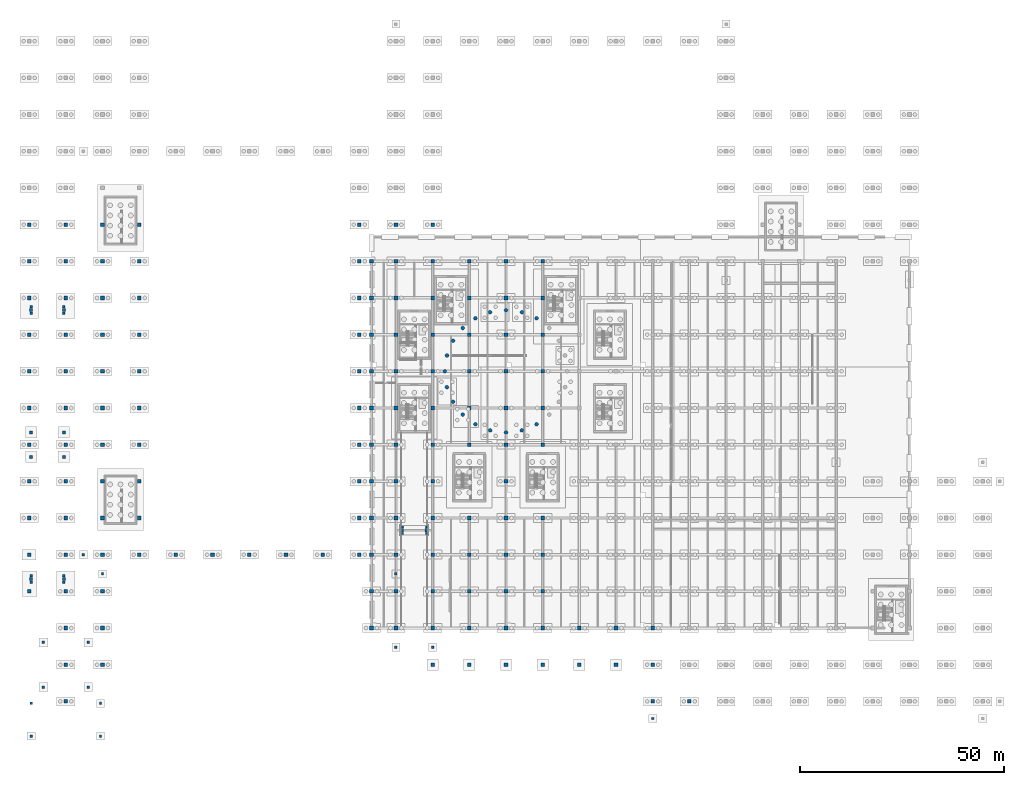
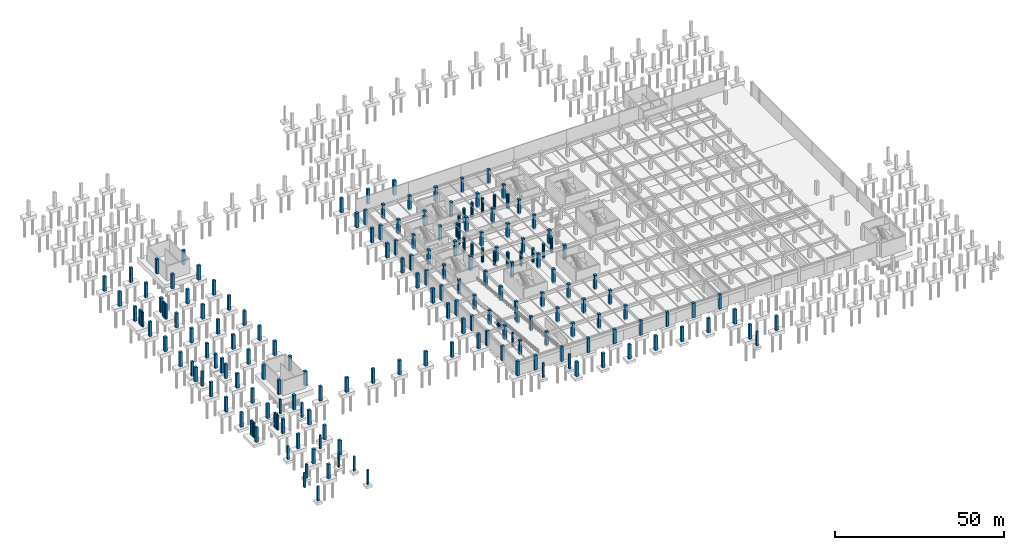
# One storey, part 10 of 27: 194 columns.
"""IFC4 building model written with IfcOpenShell, lengths in metres."""

import ifcopenshell
import ifcopenshell.guid

model = None  # the IFC model being written
_history = None  # IfcOwnerHistory: only IFC2X3 demands one
_inside = {}  # id of a spatial element -> (the spatial element, [elements in it])
_under = {}  # id of a project, library or spatial element -> (it, [spatial elements below it])
_declared = {}  # id of a project -> (the project, [libraries it declares])
_typed = {}  # id of a type object -> (the type object, [elements of that type])
_made_of = {}  # id of a material, layer set ... -> (it, [elements and type objects made of it])


def new_model(schema):
    """Start an empty IFC model of exactly this schema.

    Asked for "IFC4X3", IfcOpenShell would pick the latest addendum, in which some entities
    have other attributes; the version numbers below select the first issue.
    IFC2X3 requires an IfcOwnerHistory on every rooted entity: one is made here for all.
    """
    global model, _history
    if schema == "IFC4X3":
        model = ifcopenshell.file(schema_version=(4, 3, 0, 0))
    else:
        model = ifcopenshell.file(schema=schema)
    _inside.clear()
    _under.clear()
    _declared.clear()
    _typed.clear()
    _made_of.clear()
    _history = None
    if model.schema == "IFC2X3":
        org = make("IfcOrganization", Name="unknown")
        user = make(
            "IfcPersonAndOrganization",
            ThePerson=make("IfcPerson", FamilyName="unknown"),
            TheOrganization=org,
        )
        app = make(
            "IfcApplication",
            ApplicationDeveloper=org,
            Version="unknown",
            ApplicationFullName="unknown",
            ApplicationIdentifier="unknown",
        )
        _history = make(
            "IfcOwnerHistory",
            OwningUser=user,
            OwningApplication=app,
            ChangeAction="ADDED",
            CreationDate=0,
        )
    return model


def make(cls, **values):
    """One entity of the class cls with the attributes given. An attribute that is None is left unset."""
    return model.create_entity(
        cls, **{name: value for name, value in values.items() if value is not None}
    )


def rooted(cls, **values):
    """An entity with a GlobalId (a new one), such as an element, a storey or a relation."""
    return make(cls, GlobalId=ifcopenshell.guid.new(), OwnerHistory=_history, **values)


def si_unit(unit_type, name, prefix=None):
    """IfcSIUnit, for example si_unit("LENGTHUNIT", "METRE", prefix="MILLI")."""
    return make("IfcSIUnit", UnitType=unit_type, Prefix=prefix, Name=name)


def assignment(units):
    """IfcUnitAssignment: the units of a project."""
    return None if units is None else make("IfcUnitAssignment", Units=units)


def point(xyz):
    """IfcCartesianPoint."""
    return None if xyz is None else make("IfcCartesianPoint", Coordinates=xyz)


def direction(xyz):
    """IfcDirection."""
    return None if xyz is None else make("IfcDirection", DirectionRatios=xyz)


def frame(location, z_axis=None, x_axis=None):
    """IfcAxis2Placement3D, a coordinate frame: its origin and axes. An axis left out is left unset."""
    return make(
        "IfcAxis2Placement3D",
        Location=point(location),
        Axis=direction(z_axis),
        RefDirection=direction(x_axis),
    )


def frame_2d(location, x_axis=None):
    """IfcAxis2Placement2D, a coordinate frame in the plane: its origin and x axis."""
    return make(
        "IfcAxis2Placement2D", Location=point(location), RefDirection=direction(x_axis)
    )


def origin():
    """The frame at (0, 0, 0) with its axes left unset."""
    return frame((0.0, 0.0, 0.0))


def origin_2d():
    """The frame at (0, 0) in the plane with its x axis left unset."""
    return frame_2d((0.0, 0.0))


def place(relative_to, where):
    """IfcLocalPlacement: puts the frame where relative to a parent placement (None: the world)."""
    return make(
        "IfcLocalPlacement", PlacementRelTo=relative_to, RelativePlacement=where
    )


def context(
    kind, dimensions, precision=None, world=None, true_north=None, identifier=None
):
    """IfcGeometricRepresentationContext, for example the 3D "Model" context."""
    return make(
        "IfcGeometricRepresentationContext",
        ContextIdentifier=identifier,
        ContextType=kind,
        CoordinateSpaceDimension=dimensions,
        Precision=precision,
        WorldCoordinateSystem=world,
        TrueNorth=true_north,
    )


def subcontext(parent, identifier, kind, view, scale=None):
    """IfcGeometricRepresentationSubContext, for example "Body" below "Model"."""
    return make(
        "IfcGeometricRepresentationSubContext",
        ContextIdentifier=identifier,
        ContextType=kind,
        ParentContext=parent,
        TargetScale=scale,
        TargetView=view,
    )


def project(units=None, contexts=None):
    """IfcProject with its units and contexts."""
    return rooted(
        "IfcProject",
        Name="project",
        RepresentationContexts=contexts,
        UnitsInContext=assignment(units),
    )


def spatial(cls, under=None, at=None, **own):
    """A site, building, storey or space (cls), placed at a placement, below another one or the project."""
    s = rooted(cls, ObjectPlacement=at, **own)
    if under is not None:
        _under.setdefault(under.id(), (under, []))[1].append(s)
    return s


def profile(cls, at=None, kind="AREA", **sizes):
    """A parametric profile (cls). Its sizes go by their IFC names, for example OverallWidth=200.0."""
    return make(cls, ProfileType=kind, Position=at, **sizes)


def rectangle(**sizes):
    """IfcRectangleProfileDef."""
    return profile("IfcRectangleProfileDef", **sizes)


def circle(**sizes):
    """IfcCircleProfileDef."""
    return profile("IfcCircleProfileDef", **sizes)


def extrude(swept, where, along, depth):
    """IfcExtrudedAreaSolid: the profile swept, set in the frame where, extruded along a direction by depth."""
    return make(
        "IfcExtrudedAreaSolid",
        SweptArea=swept,
        Position=where,
        ExtrudedDirection=direction(along),
        Depth=depth,
    )


def shape(context_of_items, identifier, shape_type, items):
    """IfcShapeRepresentation: the items that make up one representation, for example the "Body"."""
    return make(
        "IfcShapeRepresentation",
        ContextOfItems=context_of_items,
        RepresentationIdentifier=identifier,
        RepresentationType=shape_type,
        Items=items,
    )


def material(Name=None, Category=None):
    """IfcMaterial."""
    return make("IfcMaterial", Name=Name, Category=Category)


def material_profile(
    of_material, cross_section, Name=None, Category=None, Priority=None
):
    """IfcMaterialProfile: a cross section and its material."""
    return make(
        "IfcMaterialProfile",
        Name=Name,
        Material=of_material,
        Profile=cross_section,
        Priority=Priority,
        Category=Category,
    )


def profile_set(profiles, Name=None, composite=None):
    """IfcMaterialProfileSet."""
    return make(
        "IfcMaterialProfileSet",
        Name=Name,
        MaterialProfiles=profiles,
        CompositeProfile=composite,
    )


def made_of(thing, what):
    """Note that an element or type object is made of a material, layer set ...; save() writes the relation."""
    if what is not None:
        _made_of.setdefault(what.id(), (what, []))[1].append(thing)
    return thing


def type_object(cls, material=None, **own):
    """A type object (cls), such as IfcWallType, which elements share."""
    return made_of(rooted(cls, **own), material)


def element(
    cls,
    number,
    at=None,
    inside=None,
    cuts=None,
    type_object=None,
    material=None,
    context=None,
    identifier="Body",
    shape_type=None,
    held_by="IfcProductDefinitionShape",
    body=None,
    shapes=None,
    **own,
):
    """One element of the class cls, such as IfcWall. Its Tag is "e" and its number.

    at: its placement. inside: the storey or other place that contains it. cuts: it is an
    opening in that element (IfcRelVoidsElement). A single representation is given by context,
    identifier, shape_type and body (its items); several are given by shapes. held_by: the class
    of the entity that holds the representations. save() writes the other relations.
    """
    e = rooted(cls, Tag="e%d" % number, ObjectPlacement=at, **own)
    if body is not None:
        shapes = [shape(context, identifier, shape_type, body)]
    if shapes is not None:
        e.Representation = make(held_by, Representations=shapes)
    if inside is not None:
        _inside.setdefault(inside.id(), (inside, []))[1].append(e)
    if cuts is not None:
        rooted(
            "IfcRelVoidsElement", RelatingBuildingElement=cuts, RelatedOpeningElement=e
        )
    if type_object is not None:
        _typed.setdefault(type_object.id(), (type_object, []))[1].append(e)
    return made_of(e, material)


def aggregate(whole, parts):
    """IfcRelAggregates: a whole, such as a stair, and the parts it consists of."""
    return rooted("IfcRelAggregates", RelatingObject=whole, RelatedObjects=parts)


def save(model, path):
    """Write the relations noted so far, then the file.

    IfcRelAggregates (storeys below a building ...), IfcRelContainedInSpatialStructure (elements
    in a storey), IfcRelDefinesByType, IfcRelAssociatesMaterial and IfcRelDeclares: one each for
    every whole, place, type object, material and project.
    """
    for whole, parts in _under.values():
        aggregate(whole, parts)
    for where, things in _inside.values():
        rooted(
            "IfcRelContainedInSpatialStructure",
            RelatedElements=things,
            RelatingStructure=where,
        )
    for kind, things in _typed.values():
        rooted("IfcRelDefinesByType", RelatedObjects=things, RelatingType=kind)
    for what, things in _made_of.values():
        rooted("IfcRelAssociatesMaterial", RelatedObjects=things, RelatingMaterial=what)
    for by, libraries in _declared.values():
        rooted("IfcRelDeclares", RelatingContext=by, RelatedDefinitions=libraries)
    model.write(path)


model = new_model("IFC4")

# Units and contexts
model_context = context("Model", 3, precision=1e-05, world=origin(), true_north=direction((0.0, 1.0)))
body_context = subcontext(model_context, "Body", "Model", "MODEL_VIEW")
ifc_project = project(units=[si_unit("LENGTHUNIT", "METRE"), si_unit("AREAUNIT", "SQUARE_METRE"), si_unit("VOLUMEUNIT", "CUBIC_METRE"), si_unit("PLANEANGLEUNIT", "RADIAN"), si_unit("MASSUNIT", "GRAM", prefix="KILO")], contexts=[model_context])

# Site, building, storey
site_placement = place(None, origin())
site = spatial("IfcSite", under=ifc_project, at=site_placement, CompositionType="ELEMENT")
building_placement = place(site_placement, origin())
building = spatial("IfcBuilding", under=site, at=building_placement, Name="Dornveld Trade and Exhibition Forum", CompositionType="ELEMENT")
storey_placement = place(building_placement, frame((0.0, 0.0, -4.800048828125)))
storey = spatial("IfcBuildingStorey", under=building, at=storey_placement, Name="B1", CompositionType="ELEMENT", Elevation=-4.800048828125)

# Columns
ifc_material_1 = material(Name="Precast concrete C50/60", Category="concrete")
ifc_material_profile_1 = material_profile(ifc_material_1, circle(Radius=0.449951171875, at=origin_2d()), Name="PC-COL D900")
ifc_profile_set_1 = profile_set([ifc_material_profile_1], Name="Precast concrete C50/60")
column_type_1 = type_object("IfcColumnType", Name="COL-DISC-D900", PredefinedType="COLUMN", material=ifc_profile_set_1)
for number, where, z_axis, x_axis, name in (
    (1, (102.0, 81.0, -0.449951171875), (0.0, 0.0, 1.0), (1.0, 0.0, 0.0), "B1 column (102.0, 81.0)"),
    (2, (102.510986328125, 77.117919921875, -0.449951171875), (0.0, 0.0, 1.0), (1.0, 0.0, 0.0), "B1 column (102.5, 77.1)"),
    (3, (102.510986328125, 84.882080078125, -0.449951171875), (0.0, 0.0, 1.0), (1.0, 0.0, 0.0), "B1 column (102.5, 84.9)"),
    (4, (104.010009765625, 73.5, -0.449951171875), (0.0, 0.0, 1.0), (1.0, 0.0, 0.0), "B1 column (104.0, 73.5)"),
    (5, (104.010009765625, 88.5, -0.449951171875), (0.0, 0.0, 1.0), (1.0, 0.0, 0.0), "B1 column (104.0, 88.5)"),
    (6, (106.39306640625, 70.39306640625, -0.449951171875), (0.0, 0.0, 1.0), (1.0, 0.0, 0.0), "B1 column (106.4, 70.4)"),
    (7, (106.39306640625, 91.60693359375, -0.449951171875), (0.0, 0.0, 1.0), (1.0, 0.0, 0.0), "B1 column (106.4, 91.6)"),
    (8, (109.5, 68.010009765625, -0.449951171875), (0.0, 0.0, 1.0), (1.0, 0.0, 0.0), "B1 column (109.5, 68.0)"),
    (9, (109.5, 93.989990234375, -0.449951171875), (0.0, 0.0, 1.0), (1.0, 0.0, 0.0), "B1 column (109.5, 94.0)"),
    (10, (113.117919921875, 66.510986328125, -0.449951171875), (0.0, 0.0, 1.0), (1.0, 0.0, 0.0), "B1 column (113.1, 66.5)"),
    (11, (113.117919921875, 95.489013671875, -0.449951171875), (0.0, 0.0, 1.0), (1.0, 0.0, 0.0), "B1 column (113.1, 95.5)"),
    (12, (117.0, 66.0, -0.449951171875), (0.0, 0.0, 1.0), (1.0, 0.0, 0.0), "B1 column (117.0, 66.0)"),
    (13, (117.0, 96.0, -0.449951171875), (0.0, 0.0, 1.0), (1.0, 0.0, 0.0), "B1 column (117.0, 96.0)"),
    (14, (120.882080078125, 66.510986328125, -0.449951171875), (0.0, 0.0, 1.0), (1.0, 0.0, 0.0), "B1 column (120.9, 66.5)"),
    (15, (120.882080078125, 95.489013671875, -0.449951171875), (0.0, 0.0, 1.0), (1.0, 0.0, 0.0), "B1 column (120.9, 95.5)"),
    (16, (124.5, 68.010009765625, -0.449951171875), (0.0, 0.0, 1.0), (1.0, 0.0, 0.0), "B1 column (124.5, 68.0)"),
    (17, (124.5, 93.989990234375, -0.449951171875), (0.0, 0.0, 1.0), (1.0, 0.0, 0.0), "B1 column (124.5, 94.0)"),
):
    element("IfcColumn", number, at=place(storey_placement, frame(where, z_axis=z_axis, x_axis=x_axis)), inside=storey, type_object=column_type_1, Name=name, PredefinedType="COLUMN", context=body_context, shape_type="SweptSolid", body=[
        extrude(circle(Radius=0.449951171875, at=origin_2d()), origin(), (0.0, 0.0, 1.0), 5.25),
    ])
ifc_material_2 = material(Name="Precast concrete C50/60", Category="concrete")
ifc_material_profile_2 = material_profile(ifc_material_2, rectangle(XDim=0.60009765625, YDim=0.60009765625, at=origin_2d()), Name="PC-COL 600x600")
ifc_profile_set_2 = profile_set([ifc_material_profile_2], Name="Precast concrete C50/60")
column_type_2 = type_object("IfcColumnType", Name="COL-PC600", PredefinedType="COLUMN", material=ifc_profile_set_2)
for number, where, z_axis, x_axis, name in (
    (18, (13.300048828125, 36.0, -0.449951171875), (0.0, 0.0, 1.0), (1.0, 0.0, 0.0), "Paving edge support pier 3"),
    (19, (18.0, 31.300048828125, -0.449951171875), (0.0, 0.0, 1.0), (1.0, 0.0, 0.0), "Paving edge support pier 5"),
    (20, (90.0, 31.300048828125, -0.449951171875), (0.0, 0.0, 1.0), (1.0, 0.0, 0.0), "Paving edge support pier 6"),
    (21, (153.0, -4.199951171875, -0.449951171875), (0.0, 0.0, 1.0), (1.0, 0.0, 0.0), "Paving edge support pier 7"),
    (22, (90.0, 13.300048828125, -0.449951171875), (0.0, 0.0, 1.0), (1.0, 0.0, 0.0), "Paving edge support pier 15"),
    (23, (99.0, 13.300048828125, -0.449951171875), (0.0, 0.0, 1.0), (1.0, 0.0, 0.0), "Paving edge support pier 16"),
    (24, (0.5, -8.5, -0.449951171875), (0.0, 0.0, 1.0), (1.0, 0.0, 0.0), "HGV entry pier 1"),
    (25, (17.5, -8.5, -0.449951171875), (0.0, 0.0, 1.0), (1.0, 0.0, 0.0), "HGV entry pier 2"),
    (26, (0.5, -0.5, -0.449951171875), (0.0, 0.0, 1.0), (1.0, 0.0, 0.0), "HGV entry pier 3"),
    (27, (17.5, -0.5, -0.449951171875), (0.0, 0.0, 1.0), (1.0, 0.0, 0.0), "HGV entry pier 4"),
):
    element("IfcColumn", number, at=place(storey_placement, frame(where, z_axis=z_axis, x_axis=x_axis)), inside=storey, type_object=column_type_2, Name=name, PredefinedType="COLUMN", context=body_context, shape_type="SweptSolid", body=[
        extrude(rectangle(XDim=0.60009765625, YDim=0.60009765625, at=origin_2d()), origin(), (0.0, 0.0, 1.0), 5.25),
    ])
for number, where, z_axis, x_axis, name in (
    (28, (3.5, 3.5, -0.449951171875), (0.0, 0.0, 1.0), (1.0, 0.0, 0.0), "West service road support pier 1"),
    (29, (14.5, 3.5, -0.449951171875), (0.0, 0.0, 1.0), (1.0, 0.0, 0.0), "West service road support pier 2"),
    (30, (3.5, 14.5, -0.449951171875), (0.0, 0.0, 1.0), (1.0, 0.0, 0.0), "West service road support pier 3"),
    (31, (14.5, 14.5, -0.449951171875), (0.0, 0.0, 1.0), (1.0, 0.0, 0.0), "West service road support pier 4"),
):
    element("IfcColumn", number, at=place(storey_placement, frame(where, z_axis=z_axis, x_axis=x_axis)), inside=storey, type_object=column_type_2, Name=name, PredefinedType="COLUMN", context=body_context, shape_type="SweptSolid", body=[
        extrude(rectangle(XDim=0.60009765625, YDim=0.60009765625, at=origin_2d()), origin(), (0.0, 0.0, 1.0), 4.8701171875),
    ])
for number, where, z_axis, x_axis, name in (
    (32, (0.5, 29.199951171875, -0.449951171875), (0.0, 0.0, 1.0), (1.0, 0.0, 0.0), "Ramp landing foundation pier 1.1"),
    (33, (8.5, 29.199951171875, -0.449951171875), (0.0, 0.0, 1.0), (1.0, 0.0, 0.0), "Ramp landing foundation pier 1.2"),
    (34, (0.5, 30.800048828125, -0.449951171875), (0.0, 0.0, 1.0), (1.0, 0.0, 0.0), "Ramp landing foundation pier 1.3"),
    (35, (8.5, 30.800048828125, -0.449951171875), (0.0, 0.0, 1.0), (1.0, 0.0, 0.0), "Ramp landing foundation pier 1.4"),
    (36, (0.5, 95.199951171875, -0.449951171875), (0.0, 0.0, 1.0), (1.0, 0.0, 0.0), "Ramp landing foundation pier 2.1"),
    (37, (8.5, 95.199951171875, -0.449951171875), (0.0, 0.0, 1.0), (1.0, 0.0, 0.0), "Ramp landing foundation pier 2.2"),
    (38, (0.5, 96.800048828125, -0.449951171875), (0.0, 0.0, 1.0), (1.0, 0.0, 0.0), "Ramp landing foundation pier 2.3"),
    (39, (8.5, 96.800048828125, -0.449951171875), (0.0, 0.0, 1.0), (1.0, 0.0, 0.0), "Ramp landing foundation pier 2.4"),
):
    element("IfcColumn", number, at=place(storey_placement, frame(where, z_axis=z_axis, x_axis=x_axis)), inside=storey, type_object=column_type_2, Name=name, PredefinedType="COLUMN", context=body_context, shape_type="SweptSolid", body=[
        extrude(rectangle(XDim=0.60009765625, YDim=0.60009765625, at=origin_2d()), origin(), (0.0, 0.0, 1.0), 5.25),
    ])
for number, where, z_axis, x_axis, name in (
    (40, (91.5, 41.199951171875, -0.449951171875), (0.0, 0.0, 1.0), (1.0, 0.0, 0.0), "Ramp landing pier 3.1"),
    (41, (97.5, 41.199951171875, -0.449951171875), (0.0, 0.0, 1.0), (1.0, 0.0, 0.0), "Ramp landing pier 3.2"),
    (42, (91.5, 42.800048828125, -0.449951171875), (0.0, 0.0, 1.0), (1.0, 0.0, 0.0), "Ramp landing pier 3.3"),
    (43, (97.5, 42.800048828125, -0.449951171875), (0.0, 0.0, 1.0), (1.0, 0.0, 0.0), "Ramp landing pier 3.4"),
):
    element("IfcColumn", number, at=place(storey_placement, frame(where, z_axis=z_axis, x_axis=x_axis)), inside=storey, type_object=column_type_2, Name=name, PredefinedType="COLUMN", context=body_context, shape_type="SweptSolid", body=[
        extrude(rectangle(XDim=0.60009765625, YDim=0.60009765625, at=origin_2d()), origin(), (0.0, 0.0, 1.0), 2.85009765625),
    ])
ifc_material_3 = material(Name="Precast concrete C50/60", Category="concrete")
ifc_material_profile_3 = material_profile(ifc_material_3, rectangle(XDim=0.75, YDim=0.75, at=origin_2d()), Name="PC-COL 750x750")
ifc_profile_set_3 = profile_set([ifc_material_profile_3], Name="Precast concrete C50/60")
column_type_3 = type_object("IfcColumnType", Name="COL-PC750", PredefinedType="COLUMN", material=ifc_profile_set_3)
for number, where, z_axis, x_axis, name in (
    (44, (0.5, 30.0, -0.449951171875), (0.0, 0.0, 1.0), (1.0, 0.0, 0.0), "Ramp foundation pier 1"),
    (45, (8.5, 30.0, -0.449951171875), (0.0, 0.0, 1.0), (1.0, 0.0, 0.0), "Ramp foundation pier 2"),
    (46, (0.5, 60.0, -0.449951171875), (0.0, 0.0, 1.0), (1.0, 0.0, 0.0), "Ramp foundation pier 3"),
    (47, (8.5, 60.0, -0.449951171875), (0.0, 0.0, 1.0), (1.0, 0.0, 0.0), "Ramp foundation pier 4"),
    (48, (0.5, 66.0, -0.449951171875), (0.0, 0.0, 1.0), (1.0, 0.0, 0.0), "Ramp foundation pier 5"),
    (49, (8.5, 66.0, -0.449951171875), (0.0, 0.0, 1.0), (1.0, 0.0, 0.0), "Ramp foundation pier 6"),
    (50, (0.5, 96.0, -0.449951171875), (0.0, 0.0, 1.0), (1.0, 0.0, 0.0), "Ramp foundation pier 7"),
    (51, (8.5, 96.0, -0.449951171875), (0.0, 0.0, 1.0), (1.0, 0.0, 0.0), "Ramp foundation pier 8"),
):
    element("IfcColumn", number, at=place(storey_placement, frame(where, z_axis=z_axis, x_axis=x_axis)), inside=storey, type_object=column_type_3, Name=name, PredefinedType="COLUMN", context=body_context, shape_type="SweptSolid", body=[
        extrude(rectangle(XDim=0.75, YDim=0.75, at=origin_2d()), origin(), (0.0, 0.0, 1.0), 5.25),
    ])
for number, where, z_axis, x_axis, name in (
    (52, (91.5, 42.0, -0.449951171875), (0.0, 0.0, 1.0), (1.0, 0.0, 0.0), "Ramp support pier 9"),
    (53, (97.5, 42.0, -0.449951171875), (0.0, 0.0, 1.0), (1.0, 0.0, 0.0), "Ramp support pier 10"),
):
    element("IfcColumn", number, at=place(storey_placement, frame(where, z_axis=z_axis, x_axis=x_axis)), inside=storey, type_object=column_type_3, Name=name, PredefinedType="COLUMN", context=body_context, shape_type="SweptSolid", body=[
        extrude(rectangle(XDim=0.75, YDim=0.75, at=origin_2d()), origin(), (0.0, 0.0, 1.0), 2.85009765625),
    ])
ifc_material_4 = material(Name="Precast concrete C50/60", Category="concrete")
ifc_material_profile_4 = material_profile(ifc_material_4, rectangle(XDim=0.89990234375, YDim=0.89990234375, at=origin_2d()), Name="PC-COL 900x900")
ifc_profile_set_4 = profile_set([ifc_material_profile_4], Name="Precast concrete C50/60")
column_type_4 = type_object("IfcColumnType", Name="COL-PC900", PredefinedType="COLUMN", material=ifc_profile_set_4)
for number, where, z_axis, x_axis, name in (
    (54, (0.0, 27.0, -0.449951171875), (0.0, 0.0, 1.0), (1.0, 0.0, 0.0), "B1 column (0.0, 27.0)"),
    (55, (0.0, 36.0, -0.449951171875), (0.0, 0.0, 1.0), (1.0, 0.0, 0.0), "B1 column (0.0, 36.0)"),
    (56, (0.0, 45.0, -0.449951171875), (0.0, 0.0, 1.0), (1.0, 0.0, 0.0), "B1 column (0.0, 45.0)"),
    (57, (0.0, 54.0, -0.449951171875), (0.0, 0.0, 1.0), (1.0, 0.0, 0.0), "B1 column (0.0, 54.0)"),
    (58, (0.0, 63.0, -0.449951171875), (0.0, 0.0, 1.0), (1.0, 0.0, 0.0), "B1 column (0.0, 63.0)"),
    (59, (0.0, 72.0, -0.449951171875), (0.0, 0.0, 1.0), (1.0, 0.0, 0.0), "B1 column (0.0, 72.0)"),
    (60, (0.0, 81.0, -0.449951171875), (0.0, 0.0, 1.0), (1.0, 0.0, 0.0), "B1 column (0.0, 81.0)"),
    (61, (0.0, 90.0, -0.449951171875), (0.0, 0.0, 1.0), (1.0, 0.0, 0.0), "B1 column (0.0, 90.0)"),
    (62, (0.0, 99.0, -0.449951171875), (0.0, 0.0, 1.0), (1.0, 0.0, 0.0), "B1 column (0.0, 99.0)"),
    (63, (0.0, 108.0, -0.449951171875), (0.0, 0.0, 1.0), (1.0, 0.0, 0.0), "B1 column (0.0, 108.0)"),
    (64, (0.0, 117.0, -0.449951171875), (0.0, 0.0, 1.0), (1.0, 0.0, 0.0), "B1 column (0.0, 117.0)"),
    (65, (9.0, 0.0, -0.449951171875), (0.0, 0.0, 1.0), (1.0, 0.0, 0.0), "B1 column (9.0, 0.0)"),
    (66, (9.0, 9.0, -0.449951171875), (0.0, 0.0, 1.0), (1.0, 0.0, 0.0), "B1 column (9.0, 9.0)"),
    (67, (9.0, 18.0, -0.449951171875), (0.0, 0.0, 1.0), (1.0, 0.0, 0.0), "B1 column (9.0, 18.0)"),
    (68, (9.0, 27.0, -0.449951171875), (0.0, 0.0, 1.0), (1.0, 0.0, 0.0), "B1 column (9.0, 27.0)"),
    (69, (9.0, 36.0, -0.449951171875), (0.0, 0.0, 1.0), (1.0, 0.0, 0.0), "B1 column (9.0, 36.0)"),
    (70, (9.0, 45.0, -0.449951171875), (0.0, 0.0, 1.0), (1.0, 0.0, 0.0), "B1 column (9.0, 45.0)"),
    (71, (9.0, 54.0, -0.449951171875), (0.0, 0.0, 1.0), (1.0, 0.0, 0.0), "B1 column (9.0, 54.0)"),
    (72, (9.0, 63.0, -0.449951171875), (0.0, 0.0, 1.0), (1.0, 0.0, 0.0), "B1 column (9.0, 63.0)"),
    (73, (9.0, 72.0, -0.449951171875), (0.0, 0.0, 1.0), (1.0, 0.0, 0.0), "B1 column (9.0, 72.0)"),
    (74, (9.0, 81.0, -0.449951171875), (0.0, 0.0, 1.0), (1.0, 0.0, 0.0), "B1 column (9.0, 81.0)"),
    (75, (9.0, 90.0, -0.449951171875), (0.0, 0.0, 1.0), (1.0, 0.0, 0.0), "B1 column (9.0, 90.0)"),
    (76, (9.0, 99.0, -0.449951171875), (0.0, 0.0, 1.0), (1.0, 0.0, 0.0), "B1 column (9.0, 99.0)"),
    (77, (9.0, 108.0, -0.449951171875), (0.0, 0.0, 1.0), (1.0, 0.0, 0.0), "B1 column (9.0, 108.0)"),
    (78, (9.0, 117.0, -0.449951171875), (0.0, 0.0, 1.0), (1.0, 0.0, 0.0), "B1 column (9.0, 117.0)"),
    (79, (18.0, 9.0, -0.449951171875), (0.0, 0.0, 1.0), (1.0, 0.0, 0.0), "B1 column (18.0, 9.0)"),
    (80, (18.0, 18.0, -0.449951171875), (0.0, 0.0, 1.0), (1.0, 0.0, 0.0), "B1 column (18.0, 18.0)"),
    (81, (18.0, 27.0, -0.449951171875), (0.0, 0.0, 1.0), (1.0, 0.0, 0.0), "B1 column (18.0, 27.0)"),
    (82, (18.0, 36.0, -0.449951171875), (0.0, 0.0, 1.0), (1.0, 0.0, 0.0), "B1 column (18.0, 36.0)"),
    (83, (18.0, 45.0, -0.449951171875), (0.0, 0.0, 1.0), (1.0, 0.0, 0.0), "B1 column (18.0, 45.0)"),
    (84, (18.0, 54.0, -0.449951171875), (0.0, 0.0, 1.0), (1.0, 0.0, 0.0), "B1 column (18.0, 54.0)"),
    (85, (18.0, 63.0, -0.449951171875), (0.0, 0.0, 1.0), (1.0, 0.0, 0.0), "B1 column (18.0, 63.0)"),
    (86, (18.0, 72.0, -0.449951171875), (0.0, 0.0, 1.0), (1.0, 0.0, 0.0), "B1 column (18.0, 72.0)"),
    (87, (18.0, 81.0, -0.449951171875), (0.0, 0.0, 1.0), (1.0, 0.0, 0.0), "B1 column (18.0, 81.0)"),
    (88, (18.0, 90.0, -0.449951171875), (0.0, 0.0, 1.0), (1.0, 0.0, 0.0), "B1 column (18.0, 90.0)"),
    (89, (18.0, 99.0, -0.449951171875), (0.0, 0.0, 1.0), (1.0, 0.0, 0.0), "B1 column (18.0, 99.0)"),
    (90, (18.0, 108.0, -0.449951171875), (0.0, 0.0, 1.0), (1.0, 0.0, 0.0), "B1 column (18.0, 108.0)"),
    (91, (18.0, 117.0, -0.449951171875), (0.0, 0.0, 1.0), (1.0, 0.0, 0.0), "B1 column (18.0, 117.0)"),
    (92, (27.0, 36.0, -0.449951171875), (0.0, 0.0, 1.0), (1.0, 0.0, 0.0), "B1 column (27.0, 36.0)"),
    (93, (27.0, 45.0, -0.449951171875), (0.0, 0.0, 1.0), (1.0, 0.0, 0.0), "B1 column (27.0, 45.0)"),
    (94, (27.0, 54.0, -0.449951171875), (0.0, 0.0, 1.0), (1.0, 0.0, 0.0), "B1 column (27.0, 54.0)"),
    (95, (27.0, 63.0, -0.449951171875), (0.0, 0.0, 1.0), (1.0, 0.0, 0.0), "B1 column (27.0, 63.0)"),
    (96, (27.0, 72.0, -0.449951171875), (0.0, 0.0, 1.0), (1.0, 0.0, 0.0), "B1 column (27.0, 72.0)"),
    (97, (27.0, 81.0, -0.449951171875), (0.0, 0.0, 1.0), (1.0, 0.0, 0.0), "B1 column (27.0, 81.0)"),
    (98, (27.0, 90.0, -0.449951171875), (0.0, 0.0, 1.0), (1.0, 0.0, 0.0), "B1 column (27.0, 90.0)"),
    (99, (27.0, 99.0, -0.449951171875), (0.0, 0.0, 1.0), (1.0, 0.0, 0.0), "B1 column (27.0, 99.0)"),
    (100, (27.0, 108.0, -0.449951171875), (0.0, 0.0, 1.0), (1.0, 0.0, 0.0), "B1 column (27.0, 108.0)"),
    (101, (27.0, 117.0, -0.449951171875), (0.0, 0.0, 1.0), (1.0, 0.0, 0.0), "B1 column (27.0, 117.0)"),
    (102, (36.0, 36.0, -0.449951171875), (0.0, 0.0, 1.0), (1.0, 0.0, 0.0), "B1 column (36.0, 36.0)"),
    (103, (45.0, 36.0, -0.449951171875), (0.0, 0.0, 1.0), (1.0, 0.0, 0.0), "B1 column (45.0, 36.0)"),
    (104, (54.0, 36.0, -0.449951171875), (0.0, 0.0, 1.0), (1.0, 0.0, 0.0), "B1 column (54.0, 36.0)"),
    (105, (63.0, 36.0, -0.449951171875), (0.0, 0.0, 1.0), (1.0, 0.0, 0.0), "B1 column (63.0, 36.0)"),
    (106, (72.0, 36.0, -0.449951171875), (0.0, 0.0, 1.0), (1.0, 0.0, 0.0), "B1 column (72.0, 36.0)"),
    (107, (81.0, 36.0, -0.449951171875), (0.0, 0.0, 1.0), (1.0, 0.0, 0.0), "B1 column (81.0, 36.0)"),
    (108, (81.0, 45.0, -0.449951171875), (0.0, 0.0, 1.0), (1.0, 0.0, 0.0), "B1 column (81.0, 45.0)"),
    (109, (81.0, 54.0, -0.449951171875), (0.0, 0.0, 1.0), (1.0, 0.0, 0.0), "B1 column (81.0, 54.0)"),
    (110, (81.0, 63.0, -0.449951171875), (0.0, 0.0, 1.0), (1.0, 0.0, 0.0), "B1 column (81.0, 63.0)"),
    (111, (81.0, 72.0, -0.449951171875), (0.0, 0.0, 1.0), (1.0, 0.0, 0.0), "B1 column (81.0, 72.0)"),
    (112, (81.0, 81.0, -0.449951171875), (0.0, 0.0, 1.0), (1.0, 0.0, 0.0), "B1 column (81.0, 81.0)"),
    (113, (81.0, 90.0, -0.449951171875), (0.0, 0.0, 1.0), (1.0, 0.0, 0.0), "B1 column (81.0, 90.0)"),
    (114, (81.0, 99.0, -0.449951171875), (0.0, 0.0, 1.0), (1.0, 0.0, 0.0), "B1 column (81.0, 99.0)"),
    (115, (81.0, 108.0, -0.449951171875), (0.0, 0.0, 1.0), (1.0, 0.0, 0.0), "B1 column (81.0, 108.0)"),
    (116, (81.0, 117.0, -0.449951171875), (0.0, 0.0, 1.0), (1.0, 0.0, 0.0), "B1 column (81.0, 117.0)"),
    (117, (84.0, 18.0, -0.449951171875), (0.0, 0.0, 1.0), (1.0, 0.0, 0.0), "B1 column (84.0, 18.0)"),
    (118, (84.0, 27.0, -0.449951171875), (0.0, 0.0, 1.0), (1.0, 0.0, 0.0), "B1 column (84.0, 27.0)"),
    (119, (84.0, 36.0, -0.449951171875), (0.0, 0.0, 1.0), (1.0, 0.0, 0.0), "B1 column (84.0, 36.0)"),
    (120, (84.0, 45.0, -0.449951171875), (0.0, 0.0, 1.0), (1.0, 0.0, 0.0), "B1 column (84.0, 45.0)"),
    (121, (84.0, 54.0, -0.449951171875), (0.0, 0.0, 1.0), (1.0, 0.0, 0.0), "B1 column (84.0, 54.0)"),
    (122, (84.0, 63.0, -0.449951171875), (0.0, 0.0, 1.0), (1.0, 0.0, 0.0), "B1 column (84.0, 63.0)"),
    (123, (84.0, 72.0, -0.449951171875), (0.0, 0.0, 1.0), (1.0, 0.0, 0.0), "B1 column (84.0, 72.0)"),
    (124, (84.0, 81.0, -0.449951171875), (0.0, 0.0, 1.0), (1.0, 0.0, 0.0), "B1 column (84.0, 81.0)"),
    (125, (84.0, 90.0, -0.449951171875), (0.0, 0.0, 1.0), (1.0, 0.0, 0.0), "B1 column (84.0, 90.0)"),
    (126, (84.0, 99.0, -0.449951171875), (0.0, 0.0, 1.0), (1.0, 0.0, 0.0), "B1 column (84.0, 99.0)"),
    (127, (84.0, 108.0, -0.449951171875), (0.0, 0.0, 1.0), (1.0, 0.0, 0.0), "B1 column (84.0, 108.0)"),
    (128, (90.0, 18.0, -0.449951171875), (0.0, 0.0, 1.0), (1.0, 0.0, 0.0), "B1 column (90.0, 18.0)"),
    (129, (90.0, 27.0, -0.449951171875), (0.0, 0.0, 1.0), (1.0, 0.0, 0.0), "B1 column (90.0, 27.0)"),
    (130, (90.0, 36.0, -0.449951171875), (0.0, 0.0, 1.0), (1.0, 0.0, 0.0), "B1 column (90.0, 36.0)"),
    (131, (90.0, 45.0, -0.449951171875), (0.0, 0.0, 1.0), (1.0, 0.0, 0.0), "B1 column (90.0, 45.0)"),
    (132, (90.0, 54.0, -0.449951171875), (0.0, 0.0, 1.0), (1.0, 0.0, 0.0), "B1 column (90.0, 54.0)"),
    (133, (90.0, 63.0, -0.449951171875), (0.0, 0.0, 1.0), (1.0, 0.0, 0.0), "B1 column (90.0, 63.0)"),
    (134, (90.0, 72.0, -0.449951171875), (0.0, 0.0, 1.0), (1.0, 0.0, 0.0), "B1 column (90.0, 72.0)"),
    (135, (90.0, 81.0, -0.449951171875), (0.0, 0.0, 1.0), (1.0, 0.0, 0.0), "B1 column (90.0, 81.0)"),
    (136, (90.0, 90.0, -0.449951171875), (0.0, 0.0, 1.0), (1.0, 0.0, 0.0), "B1 column (90.0, 90.0)"),
    (137, (90.0, 99.0, -0.449951171875), (0.0, 0.0, 1.0), (1.0, 0.0, 0.0), "B1 column (90.0, 99.0)"),
    (138, (90.0, 108.0, -0.449951171875), (0.0, 0.0, 1.0), (1.0, 0.0, 0.0), "B1 column (90.0, 108.0)"),
    (139, (90.0, 117.0, -0.449951171875), (0.0, 0.0, 1.0), (1.0, 0.0, 0.0), "B1 column (90.0, 117.0)"),
    (140, (99.0, 9.0, -0.449951171875), (0.0, 0.0, 1.0), (1.0, 0.0, 0.0), "B1 column (99.0, 9.0)"),
    (141, (99.0, 18.0, -0.449951171875), (0.0, 0.0, 1.0), (1.0, 0.0, 0.0), "B1 column (99.0, 18.0)"),
    (142, (99.0, 27.0, -0.449951171875), (0.0, 0.0, 1.0), (1.0, 0.0, 0.0), "B1 column (99.0, 27.0)"),
    (143, (99.0, 36.0, -0.449951171875), (0.0, 0.0, 1.0), (1.0, 0.0, 0.0), "B1 column (99.0, 36.0)"),
    (144, (99.0, 45.0, -0.449951171875), (0.0, 0.0, 1.0), (1.0, 0.0, 0.0), "B1 column (99.0, 45.0)"),
    (145, (99.0, 54.0, -0.449951171875), (0.0, 0.0, 1.0), (1.0, 0.0, 0.0), "B1 column (99.0, 54.0)"),
    (146, (99.0, 63.0, -0.449951171875), (0.0, 0.0, 1.0), (1.0, 0.0, 0.0), "B1 column (99.0, 63.0)"),
    (147, (99.0, 72.0, -0.449951171875), (0.0, 0.0, 1.0), (1.0, 0.0, 0.0), "B1 column (99.0, 72.0)"),
    (148, (99.0, 81.0, -0.449951171875), (0.0, 0.0, 1.0), (1.0, 0.0, 0.0), "B1 column (99.0, 81.0)"),
    (149, (99.0, 90.0, -0.449951171875), (0.0, 0.0, 1.0), (1.0, 0.0, 0.0), "B1 column (99.0, 90.0)"),
    (150, (99.0, 99.0, -0.449951171875), (0.0, 0.0, 1.0), (1.0, 0.0, 0.0), "B1 column (99.0, 99.0)"),
    (151, (99.0, 108.0, -0.449951171875), (0.0, 0.0, 1.0), (1.0, 0.0, 0.0), "B1 column (99.0, 108.0)"),
    (152, (99.0, 117.0, -0.449951171875), (0.0, 0.0, 1.0), (1.0, 0.0, 0.0), "B1 column (99.0, 117.0)"),
    (153, (108.0, 9.0, -0.449951171875), (0.0, 0.0, 1.0), (1.0, 0.0, 0.0), "B1 column (108.0, 9.0)"),
    (154, (108.0, 18.0, -0.449951171875), (0.0, 0.0, 1.0), (1.0, 0.0, 0.0), "B1 column (108.0, 18.0)"),
    (155, (108.0, 27.0, -0.449951171875), (0.0, 0.0, 1.0), (1.0, 0.0, 0.0), "B1 column (108.0, 27.0)"),
    (156, (108.0, 36.0, -0.449951171875), (0.0, 0.0, 1.0), (1.0, 0.0, 0.0), "B1 column (108.0, 36.0)"),
    (157, (108.0, 45.0, -0.449951171875), (0.0, 0.0, 1.0), (1.0, 0.0, 0.0), "B1 column (108.0, 45.0)"),
    (158, (108.0, 63.0, -0.449951171875), (0.0, 0.0, 1.0), (1.0, 0.0, 0.0), "B1 column (108.0, 63.0)"),
    (159, (108.0, 72.0, -0.449951171875), (0.0, 0.0, 1.0), (1.0, 0.0, 0.0), "B1 column (108.0, 72.0)"),
    (160, (108.0, 81.0, -0.449951171875), (0.0, 0.0, 1.0), (1.0, 0.0, 0.0), "B1 column (108.0, 81.0)"),
    (161, (108.0, 90.0, -0.449951171875), (0.0, 0.0, 1.0), (1.0, 0.0, 0.0), "B1 column (108.0, 90.0)"),
    (162, (108.0, 99.0, -0.449951171875), (0.0, 0.0, 1.0), (1.0, 0.0, 0.0), "B1 column (108.0, 99.0)"),
    (163, (108.0, 108.0, -0.449951171875), (0.0, 0.0, 1.0), (1.0, 0.0, 0.0), "B1 column (108.0, 108.0)"),
    (164, (117.0, 9.0, -0.449951171875), (0.0, 0.0, 1.0), (1.0, 0.0, 0.0), "B1 column (117.0, 9.0)"),
    (165, (117.0, 18.0, -0.449951171875), (0.0, 0.0, 1.0), (1.0, 0.0, 0.0), "B1 column (117.0, 18.0)"),
    (166, (117.0, 27.0, -0.449951171875), (0.0, 0.0, 1.0), (1.0, 0.0, 0.0), "B1 column (117.0, 27.0)"),
    (167, (117.0, 36.0, -0.449951171875), (0.0, 0.0, 1.0), (1.0, 0.0, 0.0), "B1 column (117.0, 36.0)"),
    (168, (117.0, 45.0, -0.449951171875), (0.0, 0.0, 1.0), (1.0, 0.0, 0.0), "B1 column (117.0, 45.0)"),
    (169, (117.0, 54.0, -0.449951171875), (0.0, 0.0, 1.0), (1.0, 0.0, 0.0), "B1 column (117.0, 54.0)"),
    (170, (117.0, 63.0, -0.449951171875), (0.0, 0.0, 1.0), (1.0, 0.0, 0.0), "B1 column (117.0, 63.0)"),
    (171, (117.0, 72.0, -0.449951171875), (0.0, 0.0, 1.0), (1.0, 0.0, 0.0), "B1 column (117.0, 72.0)"),
    (172, (117.0, 81.0, -0.449951171875), (0.0, 0.0, 1.0), (1.0, 0.0, 0.0), "B1 column (117.0, 81.0)"),
    (173, (117.0, 90.0, -0.449951171875), (0.0, 0.0, 1.0), (1.0, 0.0, 0.0), "B1 column (117.0, 90.0)"),
    (174, (117.0, 99.0, -0.449951171875), (0.0, 0.0, 1.0), (1.0, 0.0, 0.0), "B1 column (117.0, 99.0)"),
    (175, (117.0, 108.0, -0.449951171875), (0.0, 0.0, 1.0), (1.0, 0.0, 0.0), "B1 column (117.0, 108.0)"),
    (176, (126.0, 9.0, -0.449951171875), (0.0, 0.0, 1.0), (1.0, 0.0, 0.0), "B1 column (126.0, 9.0)"),
    (177, (126.0, 18.0, -0.449951171875), (0.0, 0.0, 1.0), (1.0, 0.0, 0.0), "B1 column (126.0, 18.0)"),
    (178, (126.0, 27.0, -0.449951171875), (0.0, 0.0, 1.0), (1.0, 0.0, 0.0), "B1 column (126.0, 27.0)"),
    (179, (126.0, 36.0, -0.449951171875), (0.0, 0.0, 1.0), (1.0, 0.0, 0.0), "B1 column (126.0, 36.0)"),
    (180, (126.0, 45.0, -0.449951171875), (0.0, 0.0, 1.0), (1.0, 0.0, 0.0), "B1 column (126.0, 45.0)"),
    (181, (126.0, 63.0, -0.449951171875), (0.0, 0.0, 1.0), (1.0, 0.0, 0.0), "B1 column (126.0, 63.0)"),
    (182, (126.0, 72.0, -0.449951171875), (0.0, 0.0, 1.0), (1.0, 0.0, 0.0), "B1 column (126.0, 72.0)"),
    (183, (126.0, 81.0, -0.449951171875), (0.0, 0.0, 1.0), (1.0, 0.0, 0.0), "B1 column (126.0, 81.0)"),
    (184, (126.0, 90.0, -0.449951171875), (0.0, 0.0, 1.0), (1.0, 0.0, 0.0), "B1 column (126.0, 90.0)"),
    (185, (126.0, 99.0, -0.449951171875), (0.0, 0.0, 1.0), (1.0, 0.0, 0.0), "B1 column (126.0, 99.0)"),
    (186, (126.0, 108.0, -0.449951171875), (0.0, 0.0, 1.0), (1.0, 0.0, 0.0), "B1 column (126.0, 108.0)"),
    (187, (135.0, 9.0, -0.449951171875), (0.0, 0.0, 1.0), (1.0, 0.0, 0.0), "B1 column (135.0, 9.0)"),
    (188, (135.0, 18.0, -0.449951171875), (0.0, 0.0, 1.0), (1.0, 0.0, 0.0), "B1 column (135.0, 18.0)"),
    (189, (144.0, 9.0, -0.449951171875), (0.0, 0.0, 1.0), (1.0, 0.0, 0.0), "B1 column (144.0, 9.0)"),
    (190, (144.0, 18.0, -0.449951171875), (0.0, 0.0, 1.0), (1.0, 0.0, 0.0), "B1 column (144.0, 18.0)"),
    (191, (153.0, 0.0, -0.449951171875), (0.0, 0.0, 1.0), (1.0, 0.0, 0.0), "B1 column (153.0, 0.0)"),
    (192, (153.0, 9.0, -0.449951171875), (0.0, 0.0, 1.0), (1.0, 0.0, 0.0), "B1 column (153.0, 9.0)"),
    (193, (153.0, 18.0, -0.449951171875), (0.0, 0.0, 1.0), (1.0, 0.0, 0.0), "B1 column (153.0, 18.0)"),
    (194, (162.0, 0.0, -0.449951171875), (0.0, 0.0, 1.0), (1.0, 0.0, 0.0), "B1 column (162.0, 0.0)"),
):
    element("IfcColumn", number, at=place(storey_placement, frame(where, z_axis=z_axis, x_axis=x_axis)), inside=storey, type_object=column_type_4, Name=name, PredefinedType="COLUMN", context=body_context, shape_type="SweptSolid", body=[
        extrude(rectangle(XDim=0.89990234375, YDim=0.89990234375, at=origin_2d()), origin(), (0.0, 0.0, 1.0), 5.25),
    ])

save(model, "model.ifc")
